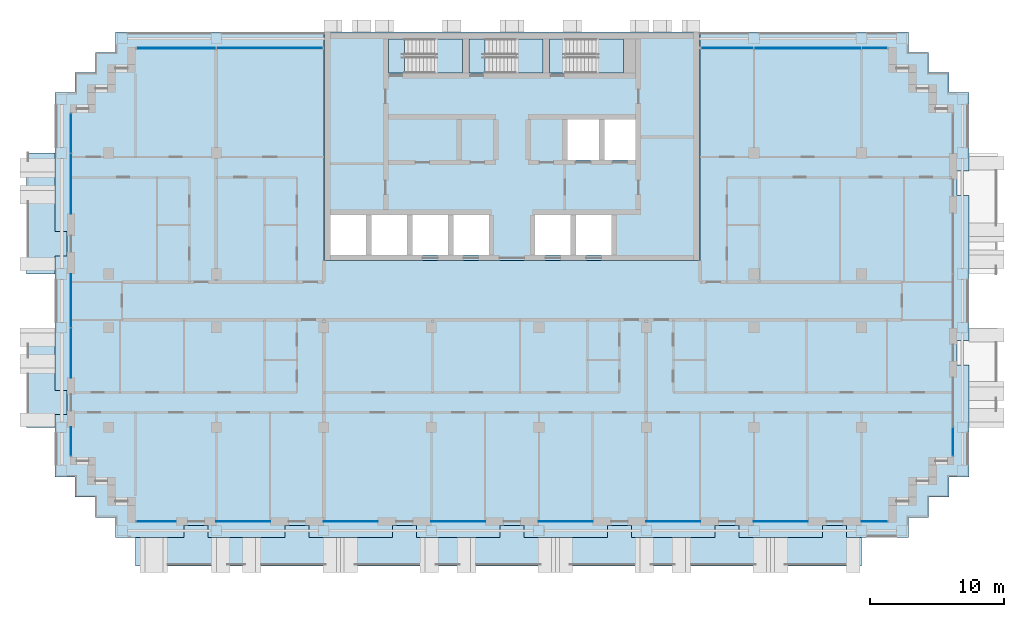
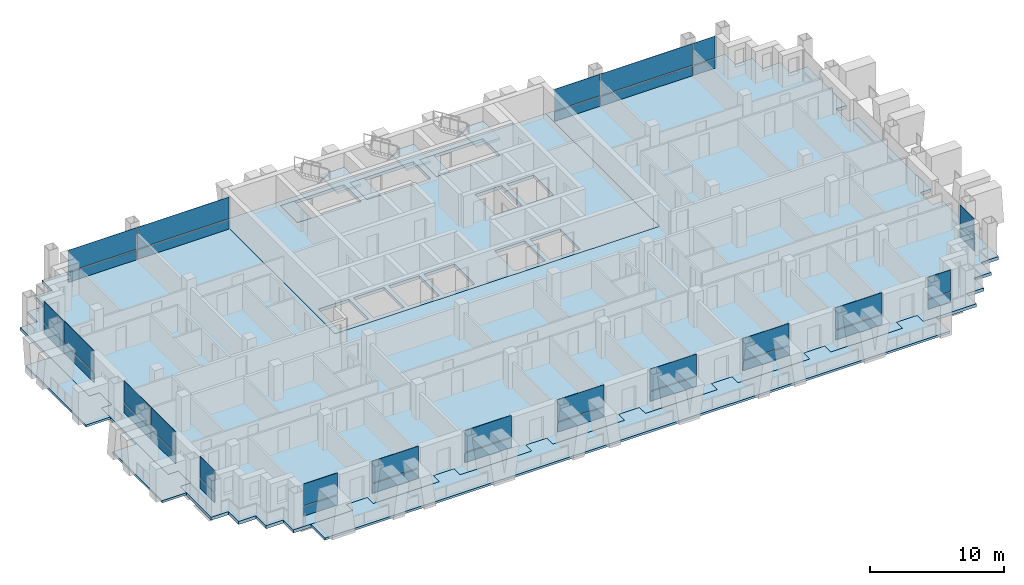
# One storey, part 6 of 17: 38 plates, 11 slabs, 17 elements without a shape of their own.
"""IFC4 building model written with IfcOpenShell, lengths in metres."""

from ifc_helpers import new_model, si_unit, direction, frame, origin, origin_2d, place, context, subcontext, project, spatial, polyline, rectangle, outline, extrude, material, layer, layer_set, type_object, element, aggregate, save


model = new_model("IFC4")

# Units and contexts
model_context = context("Model", 3, precision=1e-05, world=origin(), true_north=direction((0.0, 1.0)))
body_context = subcontext(model_context, "Body", "Model", "MODEL_VIEW")
ifc_project = project(units=[si_unit("LENGTHUNIT", "METRE"), si_unit("AREAUNIT", "SQUARE_METRE"), si_unit("VOLUMEUNIT", "CUBIC_METRE"), si_unit("PLANEANGLEUNIT", "RADIAN"), si_unit("MASSUNIT", "GRAM", prefix="KILO")], contexts=[model_context])

# Site, building, storey
site_placement = place(None, origin())
site = spatial("IfcSite", under=ifc_project, at=site_placement, CompositionType="ELEMENT")
building_placement = place(site_placement, origin())
building = spatial("IfcBuilding", under=site, at=building_placement, Name="Vidyagriha Tower", CompositionType="ELEMENT")
storey_placement = place(building_placement, frame((0.0, 0.0, 139.0)))
storey = spatial("IfcBuildingStorey", under=building, at=storey_placement, Name="L36", CompositionType="ELEMENT", Elevation=139.0)

# Curtain wall, plates
ifc_material_1 = material(Name="Aluminium and glass curtain wall", Category="aluminium")
curtain_wall_type = type_object("IfcCurtainWallType", Name="Dwelling skin unitised curtain wall", PredefinedType="USERDEFINED", material=ifc_material_1)
curtain_wall_1_placement = place(storey_placement, origin())
curtain_wall_1 = element("IfcCurtainWall", 1, at=curtain_wall_1_placement, inside=storey, type_object=curtain_wall_type, Name="CW1 dwelling skin", ObjectType="UNITISED", PredefinedType="USERDEFINED")
ifc_material_2 = material(Name="Glass dark ceramic-fritted spandrel", Category="glass")
ifc_layer_1 = layer(ifc_material_2, 0.0400390625)
ifc_layer_set_1 = layer_set([ifc_layer_1], Name="Glass dark ceramic-fritted spandrel")
plate_type_1 = type_object("IfcPlateType", Name="Ceramic-fritted spandrel panel", PredefinedType="CURTAIN_PANEL", material=ifc_layer_set_1)
plate_1_placement = place(storey_placement, frame((26.982421875, 18.800048828125, 0.0), z_axis=(0.0, 0.0, 1.0), x_axis=(-1.0, 0.0, 0.0)))
plate_1 = element("IfcPlate", 2, at=plate_1_placement, type_object=plate_type_1, Name="CW1 panel 1.1", PredefinedType="CURTAIN_PANEL", context=body_context, shape_type="SweptSolid", body=[
    extrude(rectangle(XDim=1.89501953125, YDim=0.0400390625, at=origin_2d()), origin(), (0.0, 0.0, 1.0), 0.85009765625),
])
plate_2_placement = place(storey_placement, frame((16.017578125, 18.800048828125, 0.0), z_axis=(0.0, 0.0, 1.0), x_axis=(-1.0, 0.0, 0.0)))
plate_2 = element("IfcPlate", 3, at=plate_2_placement, type_object=plate_type_1, Name="CW1 panel 3.1", PredefinedType="CURTAIN_PANEL", context=body_context, shape_type="SweptSolid", body=[
    extrude(rectangle(XDim=3.89501953125, YDim=0.0400390625, at=origin_2d()), origin(), (0.0, 0.0, 1.0), 0.85009765625),
])

# Curtain wall, plate
curtain_wall_2_placement = place(storey_placement, origin())
curtain_wall_2 = element("IfcCurtainWall", 4, at=curtain_wall_2_placement, inside=storey, type_object=curtain_wall_type, Name="CW1 dwelling skin", ObjectType="UNITISED", PredefinedType="USERDEFINED")
plate_3_placement = place(storey_placement, frame((-18.017578125, 18.800048828125, 0.0), z_axis=(0.0, 0.0, 1.0), x_axis=(-1.0, 0.0, 0.0)))
plate_3 = element("IfcPlate", 5, at=plate_3_placement, type_object=plate_type_1, Name="CW1 panel 1.1", PredefinedType="CURTAIN_PANEL", context=body_context, shape_type="SweptSolid", body=[
    extrude(rectangle(XDim=7.89501953125, YDim=0.0400390625, at=origin_2d()), origin(), (0.0, 0.0, 1.0), 0.85009765625),
])

# Curtain wall, plates
curtain_wall_3_placement = place(storey_placement, origin())
curtain_wall_3 = element("IfcCurtainWall", 6, at=curtain_wall_3_placement, inside=storey, type_object=curtain_wall_type, Name="CW1 dwelling skin", ObjectType="UNITISED", PredefinedType="USERDEFINED")
plate_4_placement = place(storey_placement, frame((-32.800048828125, 12.482421875, 0.0), z_axis=(0.0, 0.0, 1.0), x_axis=(0.0, -1.0, 0.0)))
plate_4 = element("IfcPlate", 7, at=plate_4_placement, type_object=plate_type_1, Name="CW1 panel 1.1", PredefinedType="CURTAIN_PANEL", context=body_context, shape_type="SweptSolid", body=[
    extrude(rectangle(XDim=2.89501953125, YDim=0.0400390625, at=origin_2d()), origin(), (0.0, 0.0, 1.0), 0.85009765625),
])
plate_5_placement = place(storey_placement, frame((-32.800048828125, 8.732421875, 0.0), z_axis=(0.0, 0.0, 1.0), x_axis=(0.0, -1.0, 0.0)))
plate_5 = element("IfcPlate", 8, at=plate_5_placement, type_object=plate_type_1, Name="CW1 panel 2.1", PredefinedType="CURTAIN_PANEL", context=body_context, shape_type="SweptSolid", body=[
    extrude(rectangle(XDim=4.465087890625, YDim=0.0400390625, at=origin_2d()), origin(), (0.0, 0.0, 1.0), 0.85009765625),
])

# Curtain wall, plate
curtain_wall_4_placement = place(storey_placement, origin())
curtain_wall_4 = element("IfcCurtainWall", 9, at=curtain_wall_4_placement, inside=storey, type_object=curtain_wall_type, Name="CW1 dwelling skin", ObjectType="UNITISED", PredefinedType="USERDEFINED")
plate_6_placement = place(storey_placement, frame((-32.800048828125, -10.465087890625, 0.0), z_axis=(0.0, 0.0, 1.0), x_axis=(0.0, -1.0, 0.0)))
plate_6 = element("IfcPlate", 10, at=plate_6_placement, type_object=plate_type_1, Name="CW1 panel 1.1", PredefinedType="CURTAIN_PANEL", context=body_context, shape_type="SweptSolid", body=[
    extrude(rectangle(XDim=2.1298828125, YDim=0.0400390625, at=origin_2d()), origin(), (0.0, 0.0, 1.0), 0.85009765625),
])

curtain_wall_5_placement = place(storey_placement, origin())
curtain_wall_5 = element("IfcCurtainWall", 11, at=curtain_wall_5_placement, inside=storey, type_object=curtain_wall_type, Name="CW1 dwelling skin", ObjectType="UNITISED", PredefinedType="USERDEFINED")
plate_7_placement = place(storey_placement, frame((-26.465087890625, -16.39990234375, 0.0)))
plate_7 = element("IfcPlate", 12, at=plate_7_placement, type_object=plate_type_1, Name="CW1 panel 1.1", PredefinedType="CURTAIN_PANEL", context=body_context, shape_type="SweptSolid", body=[
    extrude(rectangle(XDim=2.929931640625, YDim=0.0400390625, at=origin_2d()), origin(), (0.0, 0.0, 1.0), 0.85009765625),
])

curtain_wall_6_placement = place(storey_placement, origin())
curtain_wall_6 = element("IfcCurtainWall", 13, at=curtain_wall_6_placement, inside=storey, type_object=curtain_wall_type, Name="CW1 dwelling skin", ObjectType="UNITISED", PredefinedType="USERDEFINED")
plate_8_placement = place(storey_placement, frame((-12.0, -16.39990234375, 0.0)))
plate_8 = element("IfcPlate", 14, at=plate_8_placement, type_object=plate_type_1, Name="CW1 panel 1.1", PredefinedType="CURTAIN_PANEL", context=body_context, shape_type="SweptSolid", body=[
    extrude(rectangle(XDim=4.0, YDim=0.0400390625, at=origin_2d()), origin(), (0.0, 0.0, 1.0), 0.85009765625),
])

curtain_wall_7_placement = place(storey_placement, origin())
curtain_wall_7 = element("IfcCurtainWall", 15, at=curtain_wall_7_placement, inside=storey, type_object=curtain_wall_type, Name="CW1 dwelling skin", ObjectType="UNITISED", PredefinedType="USERDEFINED")
plate_9_placement = place(storey_placement, frame((4.0, -16.39990234375, 0.0)))
plate_9 = element("IfcPlate", 16, at=plate_9_placement, type_object=plate_type_1, Name="CW1 panel 1.1", PredefinedType="CURTAIN_PANEL", context=body_context, shape_type="SweptSolid", body=[
    extrude(rectangle(XDim=4.0, YDim=0.0400390625, at=origin_2d()), origin(), (0.0, 0.0, 1.0), 0.85009765625),
])

curtain_wall_8_placement = place(storey_placement, origin())
curtain_wall_8 = element("IfcCurtainWall", 17, at=curtain_wall_8_placement, inside=storey, type_object=curtain_wall_type, Name="CW1 dwelling skin", ObjectType="UNITISED", PredefinedType="USERDEFINED")
plate_10_placement = place(storey_placement, frame((20.0, -16.39990234375, 0.0)))
plate_10 = element("IfcPlate", 18, at=plate_10_placement, type_object=plate_type_1, Name="CW1 panel 1.1", PredefinedType="CURTAIN_PANEL", context=body_context, shape_type="SweptSolid", body=[
    extrude(rectangle(XDim=4.0, YDim=0.0400390625, at=origin_2d()), origin(), (0.0, 0.0, 1.0), 0.85009765625),
])

curtain_wall_9_placement = place(storey_placement, origin())
curtain_wall_9 = element("IfcCurtainWall", 19, at=curtain_wall_9_placement, inside=storey, type_object=curtain_wall_type, Name="CW1 dwelling skin", ObjectType="UNITISED", PredefinedType="USERDEFINED")
plate_11_placement = place(storey_placement, frame((26.965087890625, -16.39990234375, 0.0)))
plate_11 = element("IfcPlate", 20, at=plate_11_placement, type_object=plate_type_1, Name="CW1 panel 1.1", PredefinedType="CURTAIN_PANEL", context=body_context, shape_type="SweptSolid", body=[
    extrude(rectangle(XDim=1.929931640625, YDim=0.0400390625, at=origin_2d()), origin(), (0.0, 0.0, 1.0), 0.85009765625),
])

curtain_wall_10_placement = place(storey_placement, origin())
curtain_wall_10 = element("IfcCurtainWall", 21, at=curtain_wall_10_placement, inside=storey, type_object=curtain_wall_type, Name="CW1 dwelling skin", ObjectType="UNITISED", PredefinedType="USERDEFINED")
plate_12_placement = place(storey_placement, frame((32.800048828125, -10.482421875, 0.0), z_axis=(0.0, 0.0, 1.0), x_axis=(0.0, 1.0, 0.0)))
plate_12 = element("IfcPlate", 22, at=plate_12_placement, type_object=plate_type_1, Name="CW1 panel 1.1", PredefinedType="CURTAIN_PANEL", context=body_context, shape_type="SweptSolid", body=[
    extrude(rectangle(XDim=2.094970703125, YDim=0.0400390625, at=origin_2d()), origin(), (0.0, 0.0, 1.0), 0.85009765625),
])

# Slab
ifc_material_3 = material(Name="Concrete C60/75", Category="concrete")
ifc_layer_2 = layer(ifc_material_3, 0.280029296875)
ifc_layer_set_2 = layer_set([ifc_layer_2], Name="Concrete C60/75")
slab_type_1 = type_object("IfcSlabType", Name="Core floor slab 280 mm", PredefinedType="FLOOR", material=ifc_layer_set_2)
slab_1_placement = place(storey_placement, frame((0.0, 0.0, -0.280029296875)))
element("IfcSlab", 23, at=slab_1_placement, inside=storey, type_object=slab_type_1, Name="L36 core floor 1", PredefinedType="FLOOR", context=body_context, shape_type="SweptSolid", body=[
    extrude(outline(polyline([(-14.0, 3.0), (-14.0, 20.0), (14.0, 20.0), (14.0, 3.0), (-14.0, 3.0)]), holes=[polyline([(9.199951171875, 13.5), (6.86669921875, 13.5), (6.86669921875, 10.5), (9.199951171875, 10.5), (9.199951171875, 13.5)]), polyline([(4.0, 19.5), (2.800048828125, 19.5), (2.800048828125, 16.949951171875), (4.0, 16.949951171875), (8.300048828125, 16.949951171875), (8.300048828125, 19.5), (4.0, 19.5)]), polyline([(7.4111328125, 6.39990234375), (4.7666015625, 6.39990234375), (4.7666015625, 3.39990234375), (7.4111328125, 3.39990234375), (7.4111328125, 6.39990234375)]), polyline([(6.466796875, 13.5), (4.13330078125, 13.5), (4.13330078125, 10.5), (6.466796875, 10.5), (6.466796875, 13.5)]), polyline([(1.72216796875, 6.39990234375), (1.72216796875, 3.39990234375), (4.36669921875, 3.39990234375), (4.36669921875, 6.39990234375), (1.72216796875, 6.39990234375)]), polyline([(-2.0, 16.949951171875), (2.300048828125, 16.949951171875), (2.300048828125, 19.5), (-2.0, 19.5), (-3.199951171875, 19.5), (-3.199951171875, 16.949951171875), (-2.0, 16.949951171875)]), polyline([(-1.72216796875, 6.39990234375), (-4.36669921875, 6.39990234375), (-4.36669921875, 3.39990234375), (-1.72216796875, 3.39990234375), (-1.72216796875, 6.39990234375)]), polyline([(-8.0, 19.5), (-9.199951171875, 19.5), (-9.199951171875, 16.949951171875), (-8.0, 16.949951171875), (-3.699951171875, 16.949951171875), (-3.699951171875, 19.5), (-8.0, 19.5)]), polyline([(-4.7666015625, 6.39990234375), (-7.4111328125, 6.39990234375), (-7.4111328125, 3.39990234375), (-4.7666015625, 3.39990234375), (-4.7666015625, 6.39990234375)]), polyline([(-7.81103515625, 6.39990234375), (-10.45556640625, 6.39990234375), (-10.45556640625, 3.39990234375), (-7.81103515625, 3.39990234375), (-7.81103515625, 6.39990234375)]), polyline([(-13.5, 6.39990234375), (-13.5, 3.39990234375), (-10.855712890625, 3.39990234375), (-10.855712890625, 6.39990234375), (-13.5, 6.39990234375)])]), origin(), (0.0, 0.0, 1.0), 0.280029296875),
])

# Plate
ifc_material_4 = material(Name="Glass dark ceramic-fritted", Category="glass")
ifc_layer_3 = layer(ifc_material_4, 0.028076171875)
ifc_layer_set_3 = layer_set([ifc_layer_3], Name="Glass dark ceramic-fritted")
plate_type_2 = type_object("IfcPlateType", Name="Dark ceramic-fritted vision glass panel", PredefinedType="CURTAIN_PANEL", material=ifc_layer_set_3)
plate_13_placement = place(storey_placement, frame((26.982421875, 18.800048828125, 0.9501953125), z_axis=(0.0, 0.0, 1.0), x_axis=(-1.0, 0.0, 0.0)))
plate_13 = element("IfcPlate", 24, at=plate_13_placement, type_object=plate_type_2, Name="CW1 panel 1.2", PredefinedType="CURTAIN_PANEL", context=body_context, shape_type="SweptSolid", body=[
    extrude(rectangle(XDim=1.89501953125, YDim=0.028076171875, at=origin_2d()), origin(), (0.0, 0.0, 1.0), 1.969970703125),
])

plate_14_placement = place(storey_placement, frame((22.0, 18.800048828125, 0.9501953125), z_axis=(0.0, 0.0, 1.0), x_axis=(-1.0, 0.0, 0.0)))
plate_14 = element("IfcPlate", 25, at=plate_14_placement, type_object=plate_type_2, Name="CW1 panel 2.2", PredefinedType="CURTAIN_PANEL", context=body_context, shape_type="SweptSolid", body=[
    extrude(rectangle(XDim=7.929931640625, YDim=0.028076171875, at=origin_2d()), origin(), (0.0, 0.0, 1.0), 1.969970703125),
])

plate_15_placement = place(storey_placement, frame((16.017578125, 18.800048828125, 0.9501953125), z_axis=(0.0, 0.0, 1.0), x_axis=(-1.0, 0.0, 0.0)))
plate_15 = element("IfcPlate", 26, at=plate_15_placement, type_object=plate_type_2, Name="CW1 panel 3.2", PredefinedType="CURTAIN_PANEL", context=body_context, shape_type="SweptSolid", body=[
    extrude(rectangle(XDim=3.89501953125, YDim=0.028076171875, at=origin_2d()), origin(), (0.0, 0.0, 1.0), 1.969970703125),
])

plate_16_placement = place(storey_placement, frame((-18.017578125, 18.800048828125, 0.9501953125), z_axis=(0.0, 0.0, 1.0), x_axis=(-1.0, 0.0, 0.0)))
plate_16 = element("IfcPlate", 27, at=plate_16_placement, type_object=plate_type_2, Name="CW1 panel 1.2", PredefinedType="CURTAIN_PANEL", context=body_context, shape_type="SweptSolid", body=[
    extrude(rectangle(XDim=7.89501953125, YDim=0.028076171875, at=origin_2d()), origin(), (0.0, 0.0, 1.0), 1.969970703125),
])

plate_17_placement = place(storey_placement, frame((-24.982421875, 18.800048828125, 0.9501953125), z_axis=(0.0, 0.0, 1.0), x_axis=(-1.0, 0.0, 0.0)))
plate_17 = element("IfcPlate", 28, at=plate_17_placement, type_object=plate_type_2, Name="CW1 panel 2.2", PredefinedType="CURTAIN_PANEL", context=body_context, shape_type="SweptSolid", body=[
    extrude(rectangle(XDim=5.89501953125, YDim=0.028076171875, at=origin_2d()), origin(), (0.0, 0.0, 1.0), 1.969970703125),
])

plate_18_placement = place(storey_placement, frame((-32.800048828125, 12.482421875, 0.9501953125), z_axis=(0.0, 0.0, 1.0), x_axis=(0.0, -1.0, 0.0)))
plate_18 = element("IfcPlate", 29, at=plate_18_placement, type_object=plate_type_2, Name="CW1 panel 1.2", PredefinedType="CURTAIN_PANEL", context=body_context, shape_type="SweptSolid", body=[
    extrude(rectangle(XDim=2.89501953125, YDim=0.028076171875, at=origin_2d()), origin(), (0.0, 0.0, 1.0), 1.969970703125),
])

plate_19_placement = place(storey_placement, frame((-32.800048828125, 8.732421875, 0.9501953125), z_axis=(0.0, 0.0, 1.0), x_axis=(0.0, -1.0, 0.0)))
plate_19 = element("IfcPlate", 30, at=plate_19_placement, type_object=plate_type_2, Name="CW1 panel 2.2", PredefinedType="CURTAIN_PANEL", context=body_context, shape_type="SweptSolid", body=[
    extrude(rectangle(XDim=4.465087890625, YDim=0.028076171875, at=origin_2d()), origin(), (0.0, 0.0, 1.0), 1.969970703125),
])

aggregate(curtain_wall_3, [plate_4, plate_18, plate_5, plate_19])

# Curtain wall, plates
curtain_wall_11_placement = place(storey_placement, origin())
curtain_wall_11 = element("IfcCurtainWall", 31, at=curtain_wall_11_placement, inside=storey, type_object=curtain_wall_type, Name="CW1 dwelling skin", ObjectType="UNITISED", PredefinedType="USERDEFINED")
plate_20_placement = place(storey_placement, frame((-32.800048828125, 0.017578125, 0.9501953125), z_axis=(0.0, 0.0, 1.0), x_axis=(0.0, -1.0, 0.0)))
plate_20 = element("IfcPlate", 32, at=plate_20_placement, type_object=plate_type_2, Name="CW1 panel 1.2", PredefinedType="CURTAIN_PANEL", context=body_context, shape_type="SweptSolid", body=[
    extrude(rectangle(XDim=3.965087890625, YDim=0.028076171875, at=origin_2d()), origin(), (0.0, 0.0, 1.0), 1.969970703125),
])
plate_21_placement = place(storey_placement, frame((-32.800048828125, -3.867431640625, 0.9501953125), z_axis=(0.0, 0.0, 1.0), x_axis=(0.0, -1.0, 0.0)))
plate_21 = element("IfcPlate", 33, at=plate_21_placement, type_object=plate_type_2, Name="CW1 panel 2.2", PredefinedType="CURTAIN_PANEL", context=body_context, shape_type="SweptSolid", body=[
    extrude(rectangle(XDim=3.6650390625, YDim=0.028076171875, at=origin_2d()), origin(), (0.0, 0.0, 1.0), 1.969970703125),
])

# Plate
plate_22_placement = place(storey_placement, frame((-32.800048828125, -10.465087890625, 0.9501953125), z_axis=(0.0, 0.0, 1.0), x_axis=(0.0, -1.0, 0.0)))
plate_22 = element("IfcPlate", 34, at=plate_22_placement, type_object=plate_type_2, Name="CW1 panel 1.2", PredefinedType="CURTAIN_PANEL", context=body_context, shape_type="SweptSolid", body=[
    extrude(rectangle(XDim=2.1298828125, YDim=0.028076171875, at=origin_2d()), origin(), (0.0, 0.0, 1.0), 1.969970703125),
])

aggregate(curtain_wall_4, [plate_6, plate_22])

plate_23_placement = place(storey_placement, frame((-26.465087890625, -16.39990234375, 0.9501953125)))
plate_23 = element("IfcPlate", 35, at=plate_23_placement, type_object=plate_type_2, Name="CW1 panel 1.2", PredefinedType="CURTAIN_PANEL", context=body_context, shape_type="SweptSolid", body=[
    extrude(rectangle(XDim=2.929931640625, YDim=0.028076171875, at=origin_2d()), origin(), (0.0, 0.0, 1.0), 1.969970703125),
])

aggregate(curtain_wall_5, [plate_7, plate_23])

# Curtain wall, plate
curtain_wall_12_placement = place(storey_placement, origin())
curtain_wall_12 = element("IfcCurtainWall", 36, at=curtain_wall_12_placement, inside=storey, type_object=curtain_wall_type, Name="CW1 dwelling skin", ObjectType="UNITISED", PredefinedType="USERDEFINED")
plate_24_placement = place(storey_placement, frame((-20.0, -16.39990234375, 0.9501953125)))
plate_24 = element("IfcPlate", 37, at=plate_24_placement, type_object=plate_type_2, Name="CW1 panel 1.2", PredefinedType="CURTAIN_PANEL", context=body_context, shape_type="SweptSolid", body=[
    extrude(rectangle(XDim=4.0, YDim=0.028076171875, at=origin_2d()), origin(), (0.0, 0.0, 1.0), 1.969970703125),
])

# Plate
plate_25_placement = place(storey_placement, frame((-12.0, -16.39990234375, 0.9501953125)))
plate_25 = element("IfcPlate", 38, at=plate_25_placement, type_object=plate_type_2, Name="CW1 panel 1.2", PredefinedType="CURTAIN_PANEL", context=body_context, shape_type="SweptSolid", body=[
    extrude(rectangle(XDim=4.0, YDim=0.028076171875, at=origin_2d()), origin(), (0.0, 0.0, 1.0), 1.969970703125),
])

aggregate(curtain_wall_6, [plate_8, plate_25])

# Curtain wall, plate
curtain_wall_13_placement = place(storey_placement, origin())
curtain_wall_13 = element("IfcCurtainWall", 39, at=curtain_wall_13_placement, inside=storey, type_object=curtain_wall_type, Name="CW1 dwelling skin", ObjectType="UNITISED", PredefinedType="USERDEFINED")
plate_26_placement = place(storey_placement, frame((-4.0, -16.39990234375, 0.9501953125)))
plate_26 = element("IfcPlate", 40, at=plate_26_placement, type_object=plate_type_2, Name="CW1 panel 1.2", PredefinedType="CURTAIN_PANEL", context=body_context, shape_type="SweptSolid", body=[
    extrude(rectangle(XDim=4.0, YDim=0.028076171875, at=origin_2d()), origin(), (0.0, 0.0, 1.0), 1.969970703125),
])

# Plate
plate_27_placement = place(storey_placement, frame((4.0, -16.39990234375, 0.9501953125)))
plate_27 = element("IfcPlate", 41, at=plate_27_placement, type_object=plate_type_2, Name="CW1 panel 1.2", PredefinedType="CURTAIN_PANEL", context=body_context, shape_type="SweptSolid", body=[
    extrude(rectangle(XDim=4.0, YDim=0.028076171875, at=origin_2d()), origin(), (0.0, 0.0, 1.0), 1.969970703125),
])

aggregate(curtain_wall_7, [plate_9, plate_27])

# Curtain wall, plate
curtain_wall_14_placement = place(storey_placement, origin())
curtain_wall_14 = element("IfcCurtainWall", 42, at=curtain_wall_14_placement, inside=storey, type_object=curtain_wall_type, Name="CW1 dwelling skin", ObjectType="UNITISED", PredefinedType="USERDEFINED")
plate_28_placement = place(storey_placement, frame((12.0, -16.39990234375, 0.9501953125)))
plate_28 = element("IfcPlate", 43, at=plate_28_placement, type_object=plate_type_2, Name="CW1 panel 1.2", PredefinedType="CURTAIN_PANEL", context=body_context, shape_type="SweptSolid", body=[
    extrude(rectangle(XDim=4.0, YDim=0.028076171875, at=origin_2d()), origin(), (0.0, 0.0, 1.0), 1.969970703125),
])

# Plate
plate_29_placement = place(storey_placement, frame((20.0, -16.39990234375, 0.9501953125)))
plate_29 = element("IfcPlate", 44, at=plate_29_placement, type_object=plate_type_2, Name="CW1 panel 1.2", PredefinedType="CURTAIN_PANEL", context=body_context, shape_type="SweptSolid", body=[
    extrude(rectangle(XDim=4.0, YDim=0.028076171875, at=origin_2d()), origin(), (0.0, 0.0, 1.0), 1.969970703125),
])

aggregate(curtain_wall_8, [plate_10, plate_29])

plate_30_placement = place(storey_placement, frame((26.965087890625, -16.39990234375, 0.9501953125)))
plate_30 = element("IfcPlate", 45, at=plate_30_placement, type_object=plate_type_2, Name="CW1 panel 1.2", PredefinedType="CURTAIN_PANEL", context=body_context, shape_type="SweptSolid", body=[
    extrude(rectangle(XDim=1.929931640625, YDim=0.028076171875, at=origin_2d()), origin(), (0.0, 0.0, 1.0), 1.969970703125),
])

aggregate(curtain_wall_9, [plate_11, plate_30])

plate_31_placement = place(storey_placement, frame((32.800048828125, -10.482421875, 0.9501953125), z_axis=(0.0, 0.0, 1.0), x_axis=(0.0, 1.0, 0.0)))
plate_31 = element("IfcPlate", 46, at=plate_31_placement, type_object=plate_type_2, Name="CW1 panel 1.2", PredefinedType="CURTAIN_PANEL", context=body_context, shape_type="SweptSolid", body=[
    extrude(rectangle(XDim=2.094970703125, YDim=0.028076171875, at=origin_2d()), origin(), (0.0, 0.0, 1.0), 1.969970703125),
])

aggregate(curtain_wall_10, [plate_12, plate_31])

# Slabs
ifc_material_5 = material(Name="Concrete C40/50", Category="concrete")
ifc_layer_4 = layer(ifc_material_5, 0.280029296875)
ifc_layer_set_4 = layer_set([ifc_layer_4], Name="Concrete C40/50")
slab_type_2 = type_object("IfcSlabType", Name="Exit stair floor landing 280 mm", PredefinedType="LANDING", material=ifc_layer_set_4)
slab_2_placement = place(storey_placement, frame((0.0, 0.0, -0.280029296875)))
element("IfcSlab", 47, at=slab_2_placement, inside=storey, type_object=slab_type_2, Name="ST1 floor landing L36", PredefinedType="LANDING", context=body_context, shape_type="SweptSolid", body=[
    extrude(outline(polyline([(-9.199951171875, 16.949951171875), (-8.0, 16.949951171875), (-8.0, 19.5), (-9.199951171875, 19.5), (-9.199951171875, 16.949951171875)])), origin(), (0.0, 0.0, 1.0), 0.280029296875),
])
slab_3_placement = place(storey_placement, frame((0.0, 0.0, -0.280029296875)))
element("IfcSlab", 48, at=slab_3_placement, inside=storey, type_object=slab_type_2, Name="ST2 floor landing L36", PredefinedType="LANDING", context=body_context, shape_type="SweptSolid", body=[
    extrude(outline(polyline([(-3.199951171875, 16.949951171875), (-2.0, 16.949951171875), (-2.0, 19.5), (-3.199951171875, 19.5), (-3.199951171875, 16.949951171875)])), origin(), (0.0, 0.0, 1.0), 0.280029296875),
])
slab_4_placement = place(storey_placement, frame((0.0, 0.0, -0.280029296875)))
element("IfcSlab", 49, at=slab_4_placement, inside=storey, type_object=slab_type_2, Name="ST3 floor landing L36", PredefinedType="LANDING", context=body_context, shape_type="SweptSolid", body=[
    extrude(outline(polyline([(2.800048828125, 16.949951171875), (4.0, 16.949951171875), (4.0, 19.5), (2.800048828125, 19.5), (2.800048828125, 16.949951171875)])), origin(), (0.0, 0.0, 1.0), 0.280029296875),
])

# Stair, slab
ifc_material_6 = material(Name="Concrete C40/50", Category="concrete")
stair_type = type_object("IfcStairType", Name="Exit stair, half-turn, precast flights", PredefinedType="HALF_TURN_STAIR", material=ifc_material_6)
stair_1_placement = place(storey_placement, origin())
stair_1 = element("IfcStair", 50, at=stair_1_placement, inside=storey, type_object=stair_type, Name="L36 Exit Stair ST1", PredefinedType="HALF_TURN_STAIR")
ifc_material_7 = material(Name="Concrete C40/50", Category="concrete")
ifc_layer_5 = layer(ifc_material_7, 0.199951171875)
ifc_layer_set_5 = layer_set([ifc_layer_5], Name="Concrete C40/50")
slab_type_3 = type_object("IfcSlabType", Name="Exit stair landing 200 mm", PredefinedType="LANDING", material=ifc_layer_set_5)
slab_5_placement = place(storey_placement, frame((0.0, 0.0, 1.39990234375)))
slab_5 = element("IfcSlab", 51, at=slab_5_placement, type_object=slab_type_3, Name="ST1 landing 1", PredefinedType="LANDING", context=body_context, shape_type="SweptSolid", body=[
    extrude(outline(polyline([(-5.760009765625, 16.949951171875), (-3.699951171875, 16.949951171875), (-3.699951171875, 19.5), (-5.760009765625, 19.5), (-5.760009765625, 16.949951171875)])), origin(), (0.0, 0.0, 1.0), 0.2001953125),
])
aggregate(stair_1, [slab_5])

stair_2_placement = place(storey_placement, origin())
stair_2 = element("IfcStair", 52, at=stair_2_placement, inside=storey, type_object=stair_type, Name="L36 Exit Stair ST2", PredefinedType="HALF_TURN_STAIR")
slab_6_placement = place(storey_placement, frame((0.0, 0.0, 1.39990234375)))
slab_6 = element("IfcSlab", 53, at=slab_6_placement, type_object=slab_type_3, Name="ST2 landing 1", PredefinedType="LANDING", context=body_context, shape_type="SweptSolid", body=[
    extrude(outline(polyline([(0.239990234375, 16.949951171875), (2.300048828125, 16.949951171875), (2.300048828125, 19.5), (0.239990234375, 19.5), (0.239990234375, 16.949951171875)])), origin(), (0.0, 0.0, 1.0), 0.2001953125),
])
aggregate(stair_2, [slab_6])

stair_3_placement = place(storey_placement, origin())
stair_3 = element("IfcStair", 54, at=stair_3_placement, inside=storey, type_object=stair_type, Name="L36 Exit Stair ST3", PredefinedType="HALF_TURN_STAIR")
slab_7_placement = place(storey_placement, frame((0.0, 0.0, 1.39990234375)))
slab_7 = element("IfcSlab", 55, at=slab_7_placement, type_object=slab_type_3, Name="ST3 landing 1", PredefinedType="LANDING", context=body_context, shape_type="SweptSolid", body=[
    extrude(outline(polyline([(6.239990234375, 16.949951171875), (8.300048828125, 16.949951171875), (8.300048828125, 19.5), (6.239990234375, 19.5), (6.239990234375, 16.949951171875)])), origin(), (0.0, 0.0, 1.0), 0.2001953125),
])
aggregate(stair_3, [slab_7])

# Plate
ifc_material_8 = material(Name="Aluminium black anodised", Category="aluminium")
ifc_layer_6 = layer(ifc_material_8, 0.06005859375)
ifc_layer_set_6 = layer_set([ifc_layer_6], Name="Aluminium black anodised")
plate_type_3 = type_object("IfcPlateType", Name="Operable black-metal vent panel", PredefinedType="CURTAIN_PANEL", material=ifc_layer_set_6)
plate_32_placement = place(storey_placement, frame((22.0, 18.800048828125, 0.0), z_axis=(0.0, 0.0, 1.0), x_axis=(-1.0, 0.0, 0.0)))
plate_32 = element("IfcPlate", 56, at=plate_32_placement, type_object=plate_type_3, Name="CW1 panel 2.1", PredefinedType="CURTAIN_PANEL", context=body_context, shape_type="SweptSolid", body=[
    extrude(rectangle(XDim=7.929931640625, YDim=0.06005859375, at=origin_2d()), origin(), (0.0, 0.0, 1.0), 0.85009765625),
])

aggregate(curtain_wall_1, [plate_1, plate_13, plate_32, plate_14, plate_2, plate_15])

plate_33_placement = place(storey_placement, frame((-24.982421875, 18.800048828125, 0.0), z_axis=(0.0, 0.0, 1.0), x_axis=(-1.0, 0.0, 0.0)))
plate_33 = element("IfcPlate", 57, at=plate_33_placement, type_object=plate_type_3, Name="CW1 panel 2.1", PredefinedType="CURTAIN_PANEL", context=body_context, shape_type="SweptSolid", body=[
    extrude(rectangle(XDim=5.89501953125, YDim=0.06005859375, at=origin_2d()), origin(), (0.0, 0.0, 1.0), 0.85009765625),
])

aggregate(curtain_wall_2, [plate_3, plate_16, plate_33, plate_17])

plate_34_placement = place(storey_placement, frame((-32.800048828125, 0.017578125, 0.0), z_axis=(0.0, 0.0, 1.0), x_axis=(0.0, -1.0, 0.0)))
plate_34 = element("IfcPlate", 58, at=plate_34_placement, type_object=plate_type_3, Name="CW1 panel 1.1", PredefinedType="CURTAIN_PANEL", context=body_context, shape_type="SweptSolid", body=[
    extrude(rectangle(XDim=3.965087890625, YDim=0.06005859375, at=origin_2d()), origin(), (0.0, 0.0, 1.0), 0.85009765625),
])

plate_35_placement = place(storey_placement, frame((-32.800048828125, -3.867431640625, 0.0), z_axis=(0.0, 0.0, 1.0), x_axis=(0.0, -1.0, 0.0)))
plate_35 = element("IfcPlate", 59, at=plate_35_placement, type_object=plate_type_3, Name="CW1 panel 2.1", PredefinedType="CURTAIN_PANEL", context=body_context, shape_type="SweptSolid", body=[
    extrude(rectangle(XDim=3.6650390625, YDim=0.06005859375, at=origin_2d()), origin(), (0.0, 0.0, 1.0), 0.85009765625),
])

aggregate(curtain_wall_11, [plate_34, plate_20, plate_35, plate_21])

plate_36_placement = place(storey_placement, frame((-20.0, -16.39990234375, 0.0)))
plate_36 = element("IfcPlate", 60, at=plate_36_placement, type_object=plate_type_3, Name="CW1 panel 1.1", PredefinedType="CURTAIN_PANEL", context=body_context, shape_type="SweptSolid", body=[
    extrude(rectangle(XDim=4.0, YDim=0.06005859375, at=origin_2d()), origin(), (0.0, 0.0, 1.0), 0.85009765625),
])

aggregate(curtain_wall_12, [plate_36, plate_24])

plate_37_placement = place(storey_placement, frame((-4.0, -16.39990234375, 0.0)))
plate_37 = element("IfcPlate", 61, at=plate_37_placement, type_object=plate_type_3, Name="CW1 panel 1.1", PredefinedType="CURTAIN_PANEL", context=body_context, shape_type="SweptSolid", body=[
    extrude(rectangle(XDim=4.0, YDim=0.06005859375, at=origin_2d()), origin(), (0.0, 0.0, 1.0), 0.85009765625),
])

aggregate(curtain_wall_13, [plate_37, plate_26])

plate_38_placement = place(storey_placement, frame((12.0, -16.39990234375, 0.0)))
plate_38 = element("IfcPlate", 62, at=plate_38_placement, type_object=plate_type_3, Name="CW1 panel 1.1", PredefinedType="CURTAIN_PANEL", context=body_context, shape_type="SweptSolid", body=[
    extrude(rectangle(XDim=4.0, YDim=0.06005859375, at=origin_2d()), origin(), (0.0, 0.0, 1.0), 0.85009765625),
])

aggregate(curtain_wall_14, [plate_38, plate_28])

# Slabs
ifc_material_9 = material(Name="Concrete C50/60", Category="concrete")
ifc_layer_7 = layer(ifc_material_9, 0.280029296875)
ifc_layer_set_7 = layer_set([ifc_layer_7], Name="Concrete C50/60")
slab_type_4 = type_object("IfcSlabType", Name="Post-tensioned flat plate 280", PredefinedType="FLOOR", material=ifc_layer_set_7)
slab_8_placement = place(storey_placement, frame((0.0, 0.0, -0.280029296875)))
element("IfcSlab", 63, at=slab_8_placement, inside=storey, type_object=slab_type_4, Name="st-slab-L36-1", PredefinedType="FLOOR", context=body_context, shape_type="SweptSolid", body=[
    extrude(outline(polyline([(32.5, -14.60009765625), (31.0, -14.60009765625), (31.0, -16.10009765625), (29.5, -16.10009765625), (29.5, -17.60009765625), (24.89990234375, -17.60009765625), (24.89990234375, -16.699951171875), (23.10009765625, -16.699951171875), (23.10009765625, -17.60009765625), (16.89990234375, -17.60009765625), (16.89990234375, -16.699951171875), (15.10009765625, -16.699951171875), (15.10009765625, -17.60009765625), (8.89990234375, -17.60009765625), (8.89990234375, -16.699951171875), (7.10009765625, -16.699951171875), (7.10009765625, -17.60009765625), (0.89990234375, -17.60009765625), (0.89990234375, -16.699951171875), (-0.89990234375, -16.699951171875), (-0.89990234375, -17.60009765625), (-7.10009765625, -17.60009765625), (-7.10009765625, -16.699951171875), (-8.89990234375, -16.699951171875), (-8.89990234375, -17.60009765625), (-15.10009765625, -17.60009765625), (-15.10009765625, -16.699951171875), (-16.89990234375, -16.699951171875), (-16.89990234375, -17.60009765625), (-22.60009765625, -17.60009765625), (-22.60009765625, -16.699951171875), (-24.39990234375, -16.699951171875), (-24.39990234375, -17.60009765625), (-29.5, -17.60009765625), (-29.5, -16.10009765625), (-31.0, -16.10009765625), (-31.0, -14.60009765625), (-32.5, -14.60009765625), (-32.5, -13.10009765625), (-34.0, -13.10009765625), (-34.0, -8.449951171875), (-33.10009765625, -8.449951171875), (-33.10009765625, -6.64990234375), (-34.0, -6.64990234375), (-34.0, 3.35009765625), (-33.10009765625, 3.35009765625), (-33.10009765625, 5.14990234375), (-34.0, 5.14990234375), (-34.0, 15.5), (-32.5, 15.5), (-32.5, 17.0), (-31.0, 17.0), (-31.0, 18.5), (-29.5, 18.5), (-29.5, 20.0), (-14.0, 20.0), (-14.0, 3.0), (14.0, 3.0), (14.0, 20.0), (29.5, 20.0), (29.5, 18.5), (31.0, 18.5), (31.0, 17.0), (32.5, 17.0), (32.5, 15.5), (34.0, 15.5), (34.0, 9.64990234375), (33.10009765625, 9.64990234375), (33.10009765625, 7.85009765625), (34.0, 7.85009765625), (34.0, -2.949951171875), (33.10009765625, -2.949951171875), (33.10009765625, -4.75), (34.0, -4.75), (34.0, -13.10009765625), (32.5, -13.10009765625), (32.5, -14.60009765625)])), origin(), (0.0, 0.0, 1.0), 0.280029296875),
])
ifc_material_10 = material(Name="Precast concrete C40/50", Category="concrete")
ifc_layer_8 = layer(ifc_material_10, 0.199951171875)
ifc_layer_set_8 = layer_set([ifc_layer_8], Name="Precast concrete C40/50")
slab_type_5 = type_object("IfcSlabType", Name="Precast balcony slab 200", PredefinedType="USERDEFINED", material=ifc_layer_set_8)
slab_9_placement = place(storey_placement, frame((0.0, 0.0, -0.199951171875)))
element("IfcSlab", 64, at=slab_9_placement, inside=storey, type_object=slab_type_5, Name="Balcony slab L36 R16.1-1", ObjectType="BALCONY", PredefinedType="USERDEFINED", context=body_context, shape_type="SweptSolid", body=[
    extrude(outline(polyline([(-33.10009765625, 3.35009765625), (-33.10009765625, 5.14990234375), (-34.0, 5.14990234375), (-34.0, 11.0), (-36.10009765625, 11.0), (-36.10009765625, 2.0), (-34.0, 2.0), (-34.0, 3.35009765625), (-33.10009765625, 3.35009765625)])), origin(), (0.0, 0.0, 1.0), 0.199951171875),
])
slab_10_placement = place(storey_placement, frame((0.0, 0.0, -0.199951171875)))
element("IfcSlab", 65, at=slab_10_placement, inside=storey, type_object=slab_type_5, Name="Balcony slab L36 R16.2-2", ObjectType="BALCONY", PredefinedType="USERDEFINED", context=body_context, shape_type="SweptSolid", body=[
    extrude(outline(polyline([(-33.10009765625, -8.449951171875), (-33.10009765625, -6.64990234375), (-34.0, -6.64990234375), (-34.0, -2.0), (-36.10009765625, -2.0), (-36.10009765625, -9.39990234375), (-34.0, -9.39990234375), (-34.0, -8.449951171875), (-33.10009765625, -8.449951171875)])), origin(), (0.0, 0.0, 1.0), 0.199951171875),
])
slab_11_placement = place(storey_placement, frame((0.0, 0.0, -0.199951171875)))
element("IfcSlab", 66, at=slab_11_placement, inside=storey, type_object=slab_type_5, Name="Balcony slab L36 R23.1-7", ObjectType="BALCONY", PredefinedType="USERDEFINED", context=body_context, shape_type="SweptSolid", body=[
    extrude(outline(polyline([(-22.60009765625, -16.699951171875), (-24.39990234375, -16.699951171875), (-24.39990234375, -17.60009765625), (-28.0, -17.60009765625), (-28.0, -19.699951171875), (26.0, -19.699951171875), (26.0, -17.60009765625), (24.89990234375, -17.60009765625), (24.89990234375, -16.699951171875), (23.10009765625, -16.699951171875), (23.10009765625, -17.60009765625), (16.89990234375, -17.60009765625), (16.89990234375, -16.699951171875), (15.10009765625, -16.699951171875), (15.10009765625, -17.60009765625), (8.89990234375, -17.60009765625), (8.89990234375, -16.699951171875), (7.10009765625, -16.699951171875), (7.10009765625, -17.60009765625), (0.89990234375, -17.60009765625), (0.89990234375, -16.699951171875), (-0.89990234375, -16.699951171875), (-0.89990234375, -17.60009765625), (-7.10009765625, -17.60009765625), (-7.10009765625, -16.699951171875), (-8.89990234375, -16.699951171875), (-8.89990234375, -17.60009765625), (-15.10009765625, -17.60009765625), (-15.10009765625, -16.699951171875), (-16.89990234375, -16.699951171875), (-16.89990234375, -17.60009765625), (-22.60009765625, -17.60009765625), (-22.60009765625, -16.699951171875)])), origin(), (0.0, 0.0, 1.0), 0.199951171875),
])

save(model, "model.ifc")
